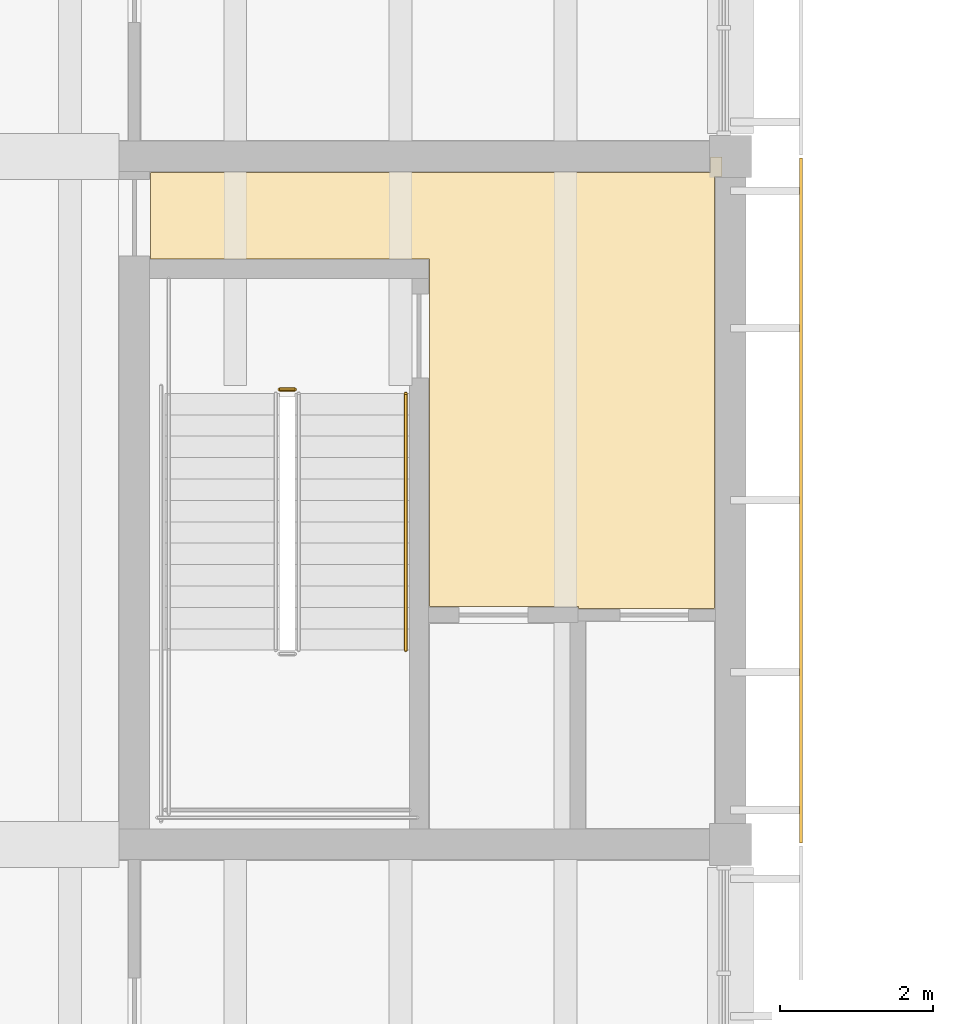
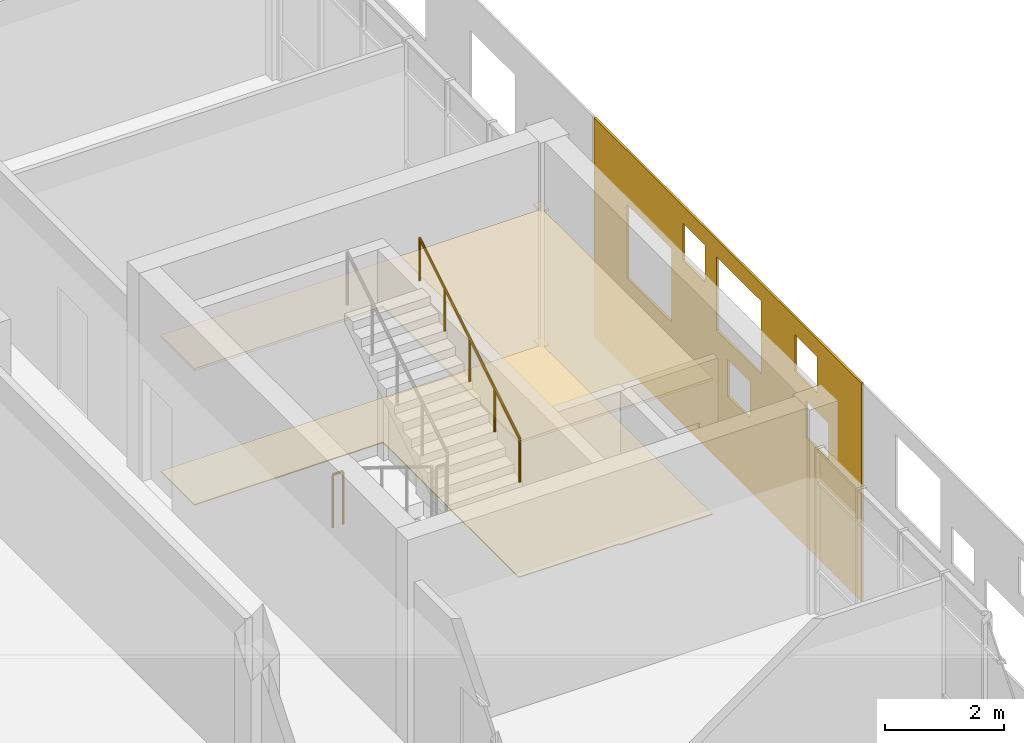
# One storey, part 66 of 74: 3 coverings, 2 railings.
"""IFC4 building model written with IfcOpenShell, lengths in metres."""

from ifc_helpers import new_model, si_unit, direction, frame, origin, origin_2d, place, context, subcontext, project, spatial, polyline, circle, outline, extrude, source, transform, mapped, material, layer, layer_set, type_object, element, save


model = new_model("IFC4")

# Units and contexts
model_context = context("Model", 3, precision=1e-05, world=origin(), true_north=direction((0.0, 1.0)))
body_context = subcontext(model_context, "Body", "Model", "MODEL_VIEW")
ifc_project = project(units=[si_unit("LENGTHUNIT", "METRE"), si_unit("AREAUNIT", "SQUARE_METRE"), si_unit("VOLUMEUNIT", "CUBIC_METRE"), si_unit("PLANEANGLEUNIT", "RADIAN"), si_unit("MASSUNIT", "GRAM", prefix="KILO")], contexts=[model_context])

# Site, building, storey
site_placement = place(None, origin())
site = spatial("IfcSite", under=ifc_project, at=site_placement, CompositionType="ELEMENT")
building_placement = place(site_placement, origin())
building = spatial("IfcBuilding", under=site, at=building_placement, Name="Merrow Basin Faculty of Sciences", CompositionType="ELEMENT")
storey_placement = place(building_placement, frame((0.0, 0.0, 13.5)))
storey = spatial("IfcBuildingStorey", under=building, at=storey_placement, Name="L03", CompositionType="ELEMENT", Elevation=13.5)

# Covering
ifc_material_1 = material(Name="Polished terrazzo floor")
ifc_layer_1 = layer(ifc_material_1, 0.02001953125)
ifc_layer_set_1 = layer_set([ifc_layer_1], Name="Polished terrazzo floor")
covering_type_1 = type_object("IfcCoveringType", Name="Polished terrazzo floor", PredefinedType="FLOORING", material=ifc_layer_set_1)
covering_1_placement = place(storey_placement, origin())
element("IfcCovering", 1, at=covering_1_placement, inside=storey, type_object=covering_type_1, Name="Floor finish L03-B-007", PredefinedType="FLOORING", context=body_context, shape_type="SweptSolid", body=[
    extrude(outline(polyline([(21.389892578125, 91.0849609375), (19.610107421875, 91.0849609375), (19.610107421875, 91.110107421875), (17.659912109375, 91.110107421875), (17.659912109375, 95.659912109375), (14.010009765625, 95.659912109375), (14.010009765625, 96.7900390625), (21.3349609375, 96.7900390625), (21.3349609375, 96.989990234375), (21.489990234375, 96.989990234375), (21.489990234375, 96.735107421875), (21.389892578125, 96.735107421875), (21.389892578125, 91.0849609375)])), origin(), (0.0, 0.0, 1.0), 0.02001953125),
])

# Railings
ifc_material_2 = material(Name="Steel ASTM A36", Category="steel")
railing_type_1 = type_object("IfcRailingType", Name="Steel guard 1100", PredefinedType="GUARDRAIL", material=ifc_material_2)
railing_1_placement = place(storey_placement, frame((15.699951171875, 93.949951171875, 0.0)))
element("IfcRailing", 2, at=railing_1_placement, inside=storey, type_object=railing_type_1, Name="L03 ST-V4-M stair guard 6", PredefinedType="GUARDRAIL", context=body_context, shape_type="SweptSolid", body=[
    extrude(circle(Radius=0.02392578125, at=origin_2d()), frame((0.0, 0.0, 1.076171875), z_axis=(1.0, 0.0, 0.0), x_axis=(0.0, 1.0, 0.0)), (0.0, 0.0, 1.0), 0.199951171875),
    extrude(circle(Radius=0.02099609375, at=origin_2d()), origin(), (0.0, 0.0, 1.0), 1.052001953125),
    extrude(circle(Radius=0.02099609375, at=origin_2d()), frame((0.199951171875, 0.0, 0.0)), (0.0, 0.0, 1.0), 1.052001953125),
])
ifc_material_3 = material(Name="Steel ASTM A36", Category="steel")
railing_type_2 = type_object("IfcRailingType", Name="Steel handrail 900", PredefinedType="HANDRAIL", material=ifc_material_3)
railing_2_placement = place(storey_placement, frame((17.35009765625, 90.5400390625, 2.423095703125)))
element("IfcRailing", 3, at=railing_2_placement, inside=storey, type_object=railing_type_2, Name="L03 ST-V4-M stair handrail 2", PredefinedType="HANDRAIL", context=body_context, shape_type="SweptSolid", body=[
    extrude(circle(Radius=0.02392578125, at=origin_2d()), frame((0.0, 0.0, 0.8759765625), z_axis=(0.0, 0.850606129759, 0.525803396734), x_axis=(-1.0, 0.0, 0.0)), (0.0, 0.0, 1.0), 3.949951171875),
    extrude(circle(Radius=0.02099609375, at=origin_2d()), origin(), (0.0, 0.0, 1.0), 0.851806640625),
    extrude(circle(Radius=0.02099609375, at=origin_2d()), frame((0.0, 0.83984375, 0.519287109375)), (0.0, 0.0, 1.0), 0.851806640625),
    extrude(circle(Radius=0.02099609375, at=origin_2d()), frame((0.0, 1.679931640625, 1.03857421875)), (0.0, 0.0, 1.0), 0.851806640625),
    extrude(circle(Radius=0.02099609375, at=origin_2d()), frame((0.0, 2.52001953125, 1.5576171875)), (0.0, 0.0, 1.0), 0.851806640625),
    extrude(circle(Radius=0.02099609375, at=origin_2d()), frame((0.0, 3.35986328125, 2.076904296875)), (0.0, 0.0, 1.0), 0.851806640625),
])

# Coverings
ifc_material_4 = material(Name="Mineral fibre ceiling tile")
ifc_layer_2 = layer(ifc_material_4, 0.050048828125)
ifc_layer_set_2 = layer_set([ifc_layer_2], Name="Suspended acoustic ceiling tile")
covering_type_2 = type_object("IfcCoveringType", Name="Suspended acoustic ceiling tile", PredefinedType="CEILING", material=ifc_layer_set_2)
covering_2_placement = place(storey_placement, frame((0.0, 0.0, 2.75)))
element("IfcCovering", 4, at=covering_2_placement, inside=storey, type_object=covering_type_2, Name="Ceiling L03-B-007", PredefinedType="CEILING", context=body_context, shape_type="SweptSolid", body=[
    extrude(outline(polyline([(21.389892578125, 91.0849609375), (19.610107421875, 91.0849609375), (19.610107421875, 91.110107421875), (17.659912109375, 91.110107421875), (17.659912109375, 95.659912109375), (14.010009765625, 95.659912109375), (14.010009765625, 96.7900390625), (21.3349609375, 96.7900390625), (21.3349609375, 96.989990234375), (21.489990234375, 96.989990234375), (21.489990234375, 96.735107421875), (21.389892578125, 96.735107421875), (21.389892578125, 91.0849609375)])), origin(), (0.0, 0.0, 1.0), 0.050048828125),
])
ifc_material_5 = material(Name="White powder-coated aluminium", Category="aluminium")
ifc_layer_3 = layer(ifc_material_5, 0.0400390625)
ifc_layer_set_3 = layer_set([ifc_layer_3], Name="Perforated panel 9000 x 4500")
covering_type_3 = type_object("IfcCoveringType", Name="Perforated panel 9000 x 4500", PredefinedType="CLADDING", material=ifc_layer_set_3)
shared_shape = source(origin(), body_context, "Body", "SweptSolid", [
    extrude(outline(polyline([(0.02001953125, 0.02001953125), (8.97998046875, 0.02001953125), (8.97998046875, 4.47998046875), (0.02001953125, 4.47998046875), (0.02001953125, 0.02001953125)]), holes=[polyline([(4.5, 1.5), (5.25, 1.5), (5.25, 2.25), (4.5, 2.25), (4.5, 1.5)]), polyline([(1.125, 1.875), (2.625, 1.875), (2.625, 3.375), (1.125, 3.375), (1.125, 1.875)]), polyline([(7.125, 2.25), (7.875, 2.25), (7.875, 3.0), (7.125, 3.0), (7.125, 2.25)]), polyline([(4.125, 2.625), (5.625, 2.625), (5.625, 4.125), (4.125, 4.125), (4.125, 2.625)]), polyline([(6.75, 3.375), (7.5, 3.375), (7.5, 4.125), (6.75, 4.125), (6.75, 3.375)]), polyline([(3.0, 3.375), (3.75, 3.375), (3.75, 4.125), (3.0, 4.125), (3.0, 3.375)])]), origin(), (0.0, 0.0, 1.0), 0.0400390625),
])
covering_3_placement = place(storey_placement, frame((22.5400390625, 97.0, -0.320068359375), z_axis=(-1.0, 0.0, 0.0), x_axis=(0.0, -1.0, 0.0)))
element("IfcCovering", 5, at=covering_3_placement, inside=storey, type_object=covering_type_3, Name="Perforated panel EL03-04", PredefinedType="CLADDING", context=body_context, shape_type="MappedRepresentation", body=[
    mapped(shared_shape, transform((0.0, 0.0, 0.0), scale=1.0)),
])

save(model, "model.ifc")
